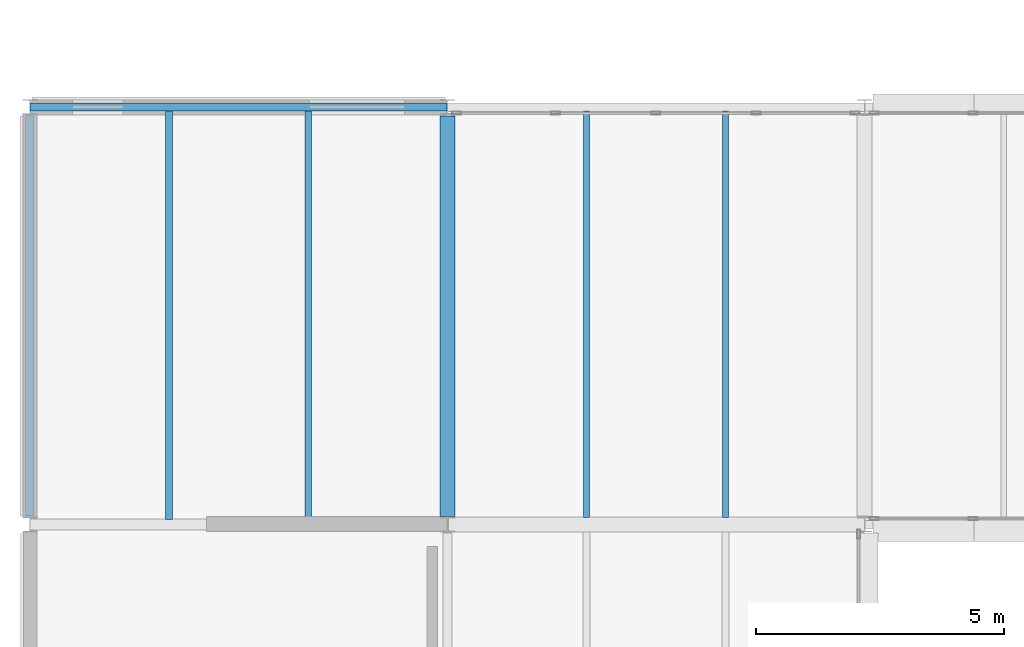
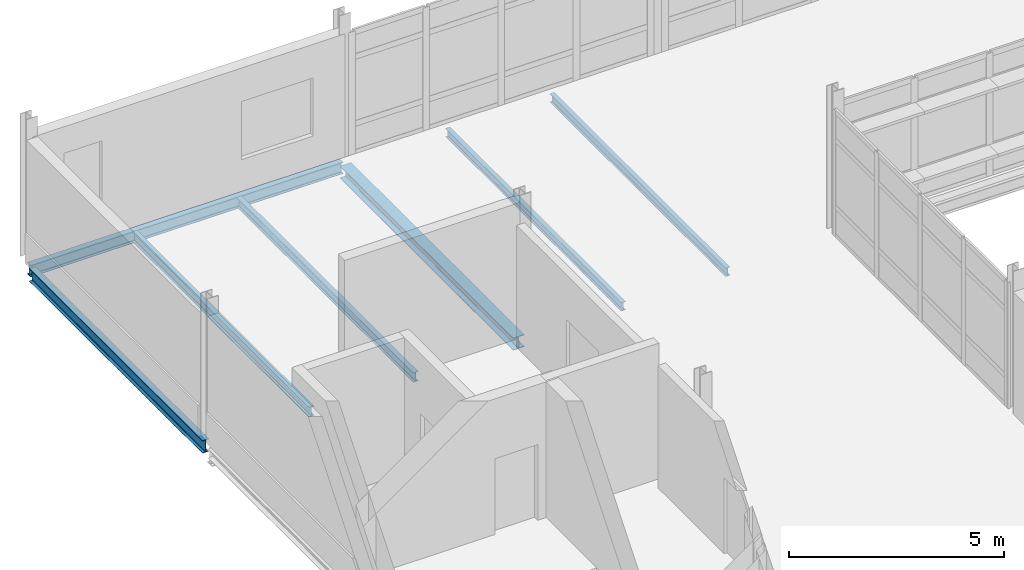
# One storey, part 18 of 103: 7 beams.
"""IFC4 building model written with IfcOpenShell, lengths in metres."""

from ifc_helpers import new_model, si_unit, direction, frame, origin, origin_2d, place, context, subcontext, project, spatial, i_section, extrude, material, material_profile, profile_set, type_object, element, save


model = new_model("IFC4")

# Units and contexts
model_context = context("Model", 3, precision=1e-05, world=origin(), true_north=direction((0.0, 1.0)))
body_context = subcontext(model_context, "Body", "Model", "MODEL_VIEW")
ifc_project = project(units=[si_unit("LENGTHUNIT", "METRE"), si_unit("AREAUNIT", "SQUARE_METRE"), si_unit("VOLUMEUNIT", "CUBIC_METRE"), si_unit("PLANEANGLEUNIT", "RADIAN"), si_unit("MASSUNIT", "GRAM", prefix="KILO")], contexts=[model_context])

# Site, building, storey
site_placement = place(None, origin())
site = spatial("IfcSite", under=ifc_project, at=site_placement, CompositionType="ELEMENT")
building_placement = place(site_placement, origin())
building = spatial("IfcBuilding", under=site, at=building_placement, Name="Mersafa Astral City Hall", CompositionType="ELEMENT")
storey_placement = place(building_placement, frame((0.0, 0.0, 18.0)))
storey = spatial("IfcBuildingStorey", under=building, at=storey_placement, Name="L04", CompositionType="ELEMENT", Elevation=18.0)

# Beams
ifc_material = material(Name="Steel S355", Category="steel")
ifc_material_profile_1 = material_profile(ifc_material, i_section(OverallWidth=0.300048828125, OverallDepth=0.35009765625, WebThickness=0.010009765625, FlangeThickness=0.017578125, FilletRadius=0.027099609375, at=origin_2d()), Name="HEA 360")
ifc_profile_set_1 = profile_set([ifc_material_profile_1], Name="Steel S355")
beam_type_1 = type_object("IfcBeamType", Name="STR-BM-HEA360", PredefinedType="BEAM", material=ifc_profile_set_1)
beam_1_placement = place(storey_placement, frame((16.800048828125, 92.56494140625, -0.360107421875), z_axis=(0.0, 1.0, 0.0), x_axis=(-1.0, 0.0, 0.0)))
element("IfcBeam", 1, at=beam_1_placement, inside=storey, type_object=beam_type_1, Name="L04 Primary girder Y 2-11", PredefinedType="BEAM", context=body_context, shape_type="SweptSolid", body=[
    extrude(i_section(OverallWidth=0.300048828125, OverallDepth=0.35009765625, WebThickness=0.010009765625, FlangeThickness=0.017578125, FilletRadius=0.027099609375, at=origin_2d()), origin(), (0.0, 0.0, 1.0), 8.06005859375),
])
ifc_material_profile_2 = material_profile(ifc_material, i_section(OverallWidth=0.1201171875, OverallDepth=0.239990234375, WebThickness=0.006103515625, FlangeThickness=0.009765625, FilletRadius=0.014892578125, at=origin_2d()), Name="IPE 240")
ifc_profile_set_2 = profile_set([ifc_material_profile_2], Name="Steel S355")
beam_type_2 = type_object("IfcBeamType", Name="STR-BM-JOIST-IPE240", PredefinedType="JOIST", material=ifc_profile_set_2)
for number, where, z_axis, x_axis, name in (
    (2, (19.60009765625, 92.544921875, -0.304931640625), (0.0, 1.0, 0.0), (-1.0, 0.0, 0.0), "L04 Composite secondary floor joist 688"),
    (3, (22.39990234375, 92.544921875, -0.304931640625), (0.0, 1.0, 0.0), (-1.0, 0.0, 0.0), "L04 Composite secondary floor joist 689"),
):
    element("IfcBeam", number, at=place(storey_placement, frame(where, z_axis=z_axis, x_axis=x_axis)), inside=storey, type_object=beam_type_2, Name=name, PredefinedType="JOIST", context=body_context, shape_type="SweptSolid", body=[
        extrude(i_section(OverallWidth=0.1201171875, OverallDepth=0.239990234375, WebThickness=0.006103515625, FlangeThickness=0.009765625, FilletRadius=0.014892578125, at=origin_2d()), origin(), (0.0, 0.0, 1.0), 8.175048828125),
    ])
ifc_material_profile_3 = material_profile(ifc_material, i_section(OverallWidth=0.135009765625, OverallDepth=0.27001953125, WebThickness=0.006591796875, FlangeThickness=0.01025390625, FilletRadius=0.014892578125, at=origin_2d()), Name="IPE 270")
ifc_profile_set_3 = profile_set([ifc_material_profile_3], Name="Steel S355")
beam_type_3 = type_object("IfcBeamType", Name="STR-BM-JOIST-IPE270", PredefinedType="JOIST", material=ifc_profile_set_3)
for number, where, z_axis, x_axis, name in (
    (4, (11.199951171875, 92.5048828125, -0.320068359375), (0.0, 1.0, 0.0), (-1.0, 0.0, 0.0), "L04 Composite secondary floor joist 682"),
    (5, (14.0, 92.5048828125, -0.320068359375), (0.0, 1.0, 0.0), (-1.0, 0.0, 0.0), "L04 Composite secondary floor joist 683"),
):
    element("IfcBeam", number, at=place(storey_placement, frame(where, z_axis=z_axis, x_axis=x_axis)), inside=storey, type_object=beam_type_3, Name=name, PredefinedType="JOIST", context=body_context, shape_type="SweptSolid", body=[
        extrude(i_section(OverallWidth=0.135009765625, OverallDepth=0.27001953125, WebThickness=0.006591796875, FlangeThickness=0.01025390625, FilletRadius=0.014892578125, at=origin_2d()), origin(), (0.0, 0.0, 1.0), 8.22021484375),
    ])
ifc_material_profile_4 = material_profile(ifc_material, i_section(OverallWidth=0.159912109375, OverallDepth=0.330078125, WebThickness=0.007568359375, FlangeThickness=0.011474609375, FilletRadius=0.01806640625, at=origin_2d()), Name="IPE 330")
ifc_profile_set_4 = profile_set([ifc_material_profile_4], Name="Steel S355")
beam_type_4 = type_object("IfcBeamType", Name="STR-BM-SPANDREL-IPE330", PredefinedType="SPANDREL", material=ifc_profile_set_4)
beam_2_placement = place(storey_placement, frame((8.403076171875, 100.800048828125, -0.35009765625), z_axis=(1.0, 0.0, 0.0), x_axis=(0.0, 1.0, 0.0)))
element("IfcBeam", 6, at=beam_2_placement, inside=storey, type_object=beam_type_4, Name="L04 Primary girder X 1-12", PredefinedType="SPANDREL", context=body_context, shape_type="SweptSolid", body=[
    extrude(i_section(OverallWidth=0.159912109375, OverallDepth=0.330078125, WebThickness=0.007568359375, FlangeThickness=0.011474609375, FilletRadius=0.01806640625, at=origin_2d()), origin(), (0.0, 0.0, 1.0), 8.39404296875),
])
ifc_material_profile_5 = material_profile(ifc_material, i_section(OverallWidth=0.169921875, OverallDepth=0.360107421875, WebThickness=0.008056640625, FlangeThickness=0.0126953125, FilletRadius=0.01806640625, at=origin_2d()), Name="IPE 360")
ifc_profile_set_5 = profile_set([ifc_material_profile_5], Name="Steel S355")
beam_type_5 = type_object("IfcBeamType", Name="STR-BM-SPANDREL-IPE360", PredefinedType="SPANDREL", material=ifc_profile_set_5)
beam_3_placement = place(storey_placement, frame((8.39990234375, 92.574951171875, -0.364990234375), z_axis=(0.0, 1.0, 0.0), x_axis=(-1.0, 0.0, 0.0)))
element("IfcBeam", 7, at=beam_3_placement, inside=storey, type_object=beam_type_5, Name="L04 Primary girder Y 1-11", PredefinedType="SPANDREL", context=body_context, shape_type="SweptSolid", body=[
    extrude(i_section(OverallWidth=0.169921875, OverallDepth=0.360107421875, WebThickness=0.008056640625, FlangeThickness=0.0126953125, FilletRadius=0.01806640625, at=origin_2d()), origin(), (0.0, 0.0, 1.0), 8.06005859375),
])

save(model, "model.ifc")
